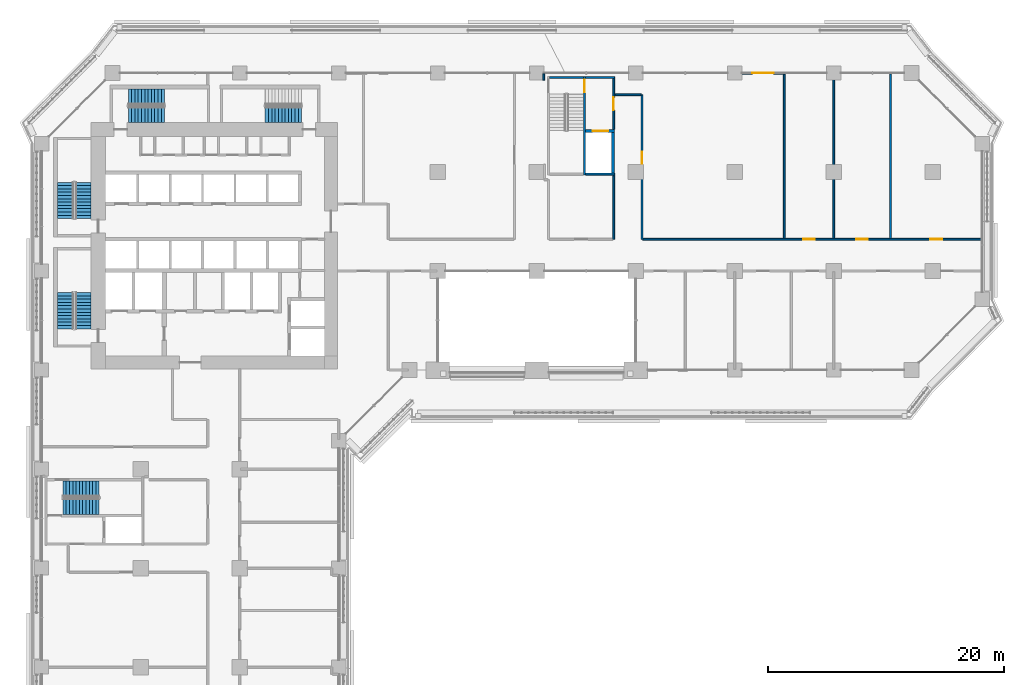
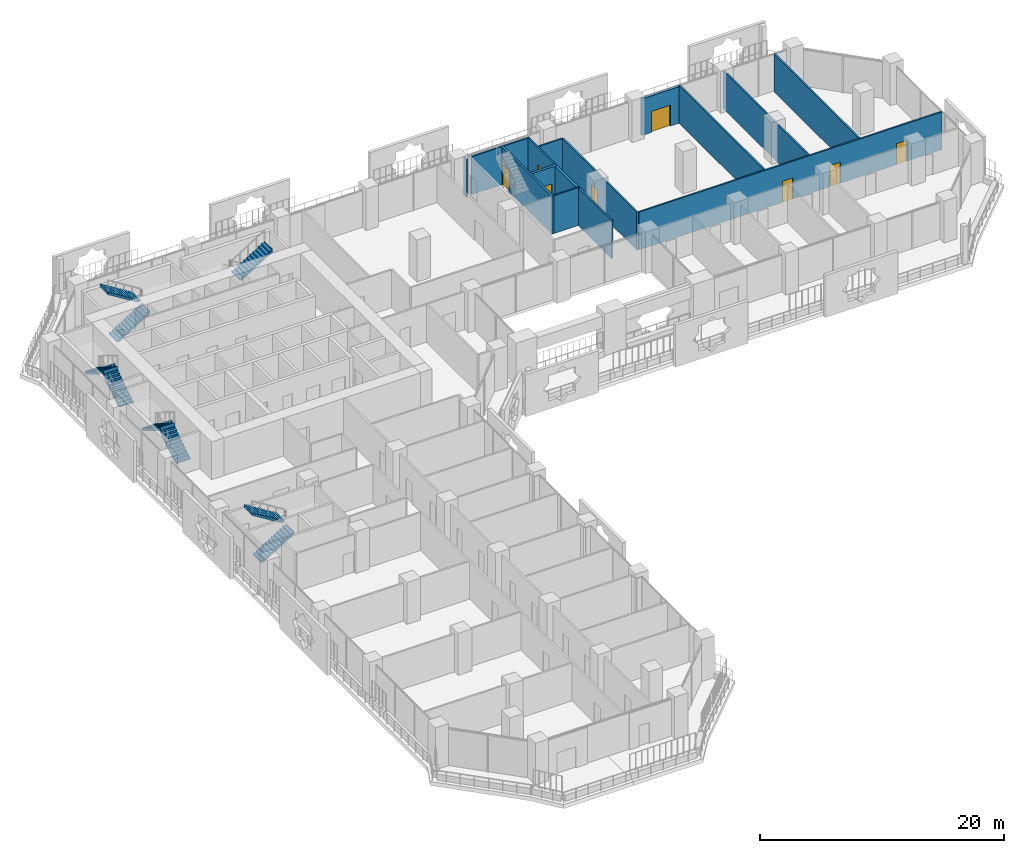
# One storey, part 17 of 28: 16 walls, 9 stair flights, 8 doors, 8 openings, 5 elements without a shape of their own.
"""IFC4 building model written with IfcOpenShell, lengths in metres."""

from ifc_helpers import new_model, si_unit, direction, frame, frame_2d, origin, place, context, subcontext, project, spatial, polyline, rectangle, outline, extrude, material, layer, layer_set, type_object, element, fill, aggregate, save


model = new_model("IFC4")

# Units and contexts
model_context = context("Model", 3, precision=1e-05, world=origin(), true_north=direction((0.0, 1.0)))
body_context = subcontext(model_context, "Body", "Model", "MODEL_VIEW")
ifc_project = project(units=[si_unit("LENGTHUNIT", "METRE"), si_unit("AREAUNIT", "SQUARE_METRE"), si_unit("VOLUMEUNIT", "CUBIC_METRE"), si_unit("PLANEANGLEUNIT", "RADIAN"), si_unit("MASSUNIT", "GRAM", prefix="KILO")], contexts=[model_context])

# Site, building, storey
site_placement = place(None, origin())
site = spatial("IfcSite", under=ifc_project, at=site_placement, CompositionType="ELEMENT")
building_placement = place(site_placement, origin())
building = spatial("IfcBuilding", under=site, at=building_placement, Name="Kawkab Arch Medical Tower", CompositionType="ELEMENT")
storey_placement = place(building_placement, frame((0.0, 0.0, 47.60009765625)))
storey = spatial("IfcBuildingStorey", under=building, at=storey_placement, Name="L10", CompositionType="ELEMENT", Elevation=47.60009765625)

# Wall, opening, door
ifc_material_1 = material(Name="Gypsum board on steel studs", Category="steel")
ifc_layer_1 = layer(ifc_material_1, 0.14990234375)
ifc_layer_set_1 = layer_set([ifc_layer_1], Name="Gypsum board on steel studs")
wall_type_1 = type_object("IfcWallType", Name="Core room partition 150", PredefinedType="PARTITIONING", material=ifc_layer_set_1)
wall_1_placement = place(storey_placement, frame((48.52490234375, -4.77490234375, 0.0), z_axis=(0.0, 0.0, 1.0), x_axis=(0.0, 1.0, 0.0)))
wall_1 = element("IfcWall", 1, at=wall_1_placement, inside=storey, type_object=wall_type_1, Name="L10 core room partition", PredefinedType="PARTITIONING", context=body_context, shape_type="SweptSolid", body=[
    extrude(rectangle(XDim=4.324951171875, YDim=0.14990234375, at=frame_2d((2.16259765625, 0.0))), origin(), (0.0, 0.0, 1.0), 3.77978515625),
])
opening_1_placement = place(wall_1_placement, frame((1.625, 0.0, 0.0)))
opening_1 = element("IfcOpeningElement", 2, at=opening_1_placement, cuts=wall_1, Name="Opening FD", PredefinedType="OPENING", context=body_context, shape_type="SweptSolid", body=[
    extrude(rectangle(XDim=1.10009765625, YDim=2.10009765625, at=frame_2d((0.550048828125, 1.050048828125))), frame((0.0, 0.0849609375, 0.0), z_axis=(0.0, -1.0, 0.0), x_axis=(1.0, 0.0, 0.0)), (0.0, 0.0, 1.0), 0.169921875),
])
ifc_material_2 = material(Name="Hollow metal fire door leaf")
door_type_1 = type_object("IfcDoorType", Name="Firefighting lobby door 1100", OperationType="SINGLE_SWING_LEFT", PredefinedType="DOOR", material=ifc_material_2)
door_1_placement = place(opening_1_placement, origin())
door_1 = element("IfcDoor", 3, at=door_1_placement, inside=storey, type_object=door_type_1, Name="L10 Service lift lobby door SV1", OperationType="SINGLE_SWING_LEFT", OverallHeight=2.10009765625, OverallWidth=1.10009765625, PredefinedType="DOOR", context=body_context, shape_type="SweptSolid", body=[
    extrude(rectangle(XDim=1.10009765625, YDim=2.10009765625, at=frame_2d((0.550048828125, 1.050048828125))), frame((0.0, 0.02490234375, 0.0), z_axis=(0.0, -1.0, 0.0), x_axis=(1.0, 0.0, 0.0)), (0.0, 0.0, 1.0), 0.050048828125),
])
fill(opening_1, door_1)

ifc_material_3 = material(Name="Concrete C60/75", Category="concrete")
ifc_layer_2 = layer(ifc_material_3, 0.25)
ifc_layer_set_2 = layer_set([ifc_layer_2], Name="Concrete C60/75")
wall_type_2 = type_object("IfcWallType", Name="Core shear wall 250 C60/75", PredefinedType="SHEAR", material=ifc_layer_set_2)
wall_2_placement = place(storey_placement, frame((46.14990234375, -4.89990234375, 0.0), z_axis=(0.0, 0.0, 1.0), x_axis=(1.0, 0.0, 0.0)))
wall_2 = element("IfcWall", 4, at=wall_2_placement, inside=storey, type_object=wall_type_2, Name="L10 core shear wall", PredefinedType="SHEAR", context=body_context, shape_type="SweptSolid", body=[
    extrude(rectangle(XDim=2.4501953125, YDim=0.25, at=frame_2d((1.22509765625, 0.0))), origin(), (0.0, 0.0, 1.0), 3.77978515625),
])
opening_2_placement = place(wall_2_placement, frame((0.60009765625, 0.0, 0.0)))
opening_2 = element("IfcOpeningElement", 5, at=opening_2_placement, cuts=wall_2, Name="Opening LD2", PredefinedType="OPENING", context=body_context, shape_type="SweptSolid", body=[
    extrude(rectangle(XDim=1.300048828125, YDim=2.10009765625, at=frame_2d((0.64990234375, 1.050048828125))), frame((0.0, 0.135009765625, 0.0), z_axis=(0.0, -1.0, 0.0), x_axis=(1.0, 0.0, 0.0)), (0.0, 0.0, 1.0), 0.27001953125),
])
ifc_material_4 = material(Name="Stainless steel lift door leaf", Category="steel")
door_type_2 = type_object("IfcDoorType", Name="Lift landing door 1300", OperationType="DOUBLE_DOOR_SLIDING", PredefinedType="DOOR", material=ifc_material_4)
door_2_placement = place(opening_2_placement, origin())
door_2 = element("IfcDoor", 6, at=door_2_placement, inside=storey, type_object=door_type_2, Name="L10 Lift landing door SV1", OperationType="DOUBLE_DOOR_SLIDING", OverallHeight=2.10009765625, OverallWidth=1.300048828125, PredefinedType="DOOR", context=body_context, shape_type="SweptSolid", body=[
    extrude(rectangle(XDim=1.300048828125, YDim=2.10009765625, at=frame_2d((0.64990234375, 1.050048828125))), frame((0.0, 0.02490234375, 0.0), z_axis=(0.0, -1.0, 0.0), x_axis=(1.0, 0.0, 0.0)), (0.0, 0.0, 1.0), 0.050048828125),
])
fill(opening_2, door_2)

# Wall
wall_3_placement = place(storey_placement, frame((48.47509765625, -8.5, 0.0), z_axis=(0.0, 0.0, 1.0), x_axis=(0.0, 1.0, 0.0)))
element("IfcWall", 7, at=wall_3_placement, inside=storey, type_object=wall_type_2, Name="L10 core shear wall", PredefinedType="SHEAR", context=body_context, shape_type="SweptSolid", body=[
    extrude(rectangle(XDim=3.47509765625, YDim=0.25, at=frame_2d((1.737548828125, 0.0))), origin(), (0.0, 0.0, 1.0), 3.77978515625),
])

# Wall, opening, door
ifc_material_5 = material(Name="Bronze clad insulated wall panel")
ifc_layer_3 = layer(ifc_material_5, 0.25)
ifc_layer_set_3 = layer_set([ifc_layer_3], Name="Bronze clad insulated wall panel")
wall_type_3 = type_object("IfcWallType", Name="External wall bay 250", PredefinedType="SOLIDWALL", material=ifc_layer_set_3)
wall_4_placement = place(storey_placement, frame((63.0, 0.0, 0.0), z_axis=(0.0, 0.0, 1.0), x_axis=(-1.0, 0.0, 0.0)))
wall_4 = element("IfcWall", 8, at=wall_4_placement, inside=storey, type_object=wall_type_3, Name="External wall bay L10.R09.2.2", PredefinedType="SOLIDWALL", context=body_context, shape_type="SweptSolid", body=[
    extrude(rectangle(XDim=3.60009765625, YDim=0.25, at=frame_2d((1.800048828125, 0.0))), origin(), (0.0, 0.0, 1.0), 3.659912109375),
])
opening_3_placement = place(wall_4_placement, frame((0.89990234375, 0.0, 0.0)))
opening_3 = element("IfcOpeningElement", 9, at=opening_3_placement, cuts=wall_4, Name="Opening B10-701", PredefinedType="OPENING", context=body_context, shape_type="SweptSolid", body=[
    extrude(rectangle(XDim=1.800048828125, YDim=2.10009765625, at=frame_2d((0.89990234375, 1.050048828125))), frame((0.0, 0.135009765625, 0.0), z_axis=(0.0, -1.0, 0.0), x_axis=(1.0, 0.0, 0.0)), (0.0, 0.0, 1.0), 0.27001953125),
])
ifc_material_6 = material(Name="Bronze anodised aluminium door with tinted glass", Category="aluminium")
door_type_3 = type_object("IfcDoorType", Name="Double external door 1800 x 2100", OperationType="DOUBLE_DOOR_SINGLE_SWING", PredefinedType="DOOR", material=ifc_material_6)
door_3_placement = place(opening_3_placement, origin())
door_3 = element("IfcDoor", 10, at=door_3_placement, inside=storey, type_object=door_type_3, Name="External door L10.R09.2.2", OperationType="DOUBLE_DOOR_SINGLE_SWING", OverallHeight=2.10009765625, OverallWidth=1.800048828125, PredefinedType="DOOR", context=body_context, shape_type="SweptSolid", body=[
    extrude(rectangle(XDim=1.800048828125, YDim=2.10009765625, at=frame_2d((0.89990234375, 1.050048828125))), frame((0.0, 0.02490234375, 0.0), z_axis=(0.0, -1.0, 0.0), x_axis=(1.0, 0.0, 0.0)), (0.0, 0.0, 1.0), 0.050048828125),
])
fill(opening_3, door_3)

# Wall, openings, doors
ifc_material_7 = material(Name="Gypsum board partition on steel studs, mineral wool", Category="steel")
ifc_layer_4 = layer(ifc_material_7, 0.14990234375)
ifc_layer_set_4 = layer_set([ifc_layer_4], Name="Gypsum board partition on steel studs, mineral wool")
wall_type_4 = type_object("IfcWallType", Name="Partition 150", PredefinedType="PARTITIONING", material=ifc_layer_set_4)
wall_5_placement = place(storey_placement, frame((51.0, -14.10009765625, 0.0), z_axis=(0.0, 0.0, 1.0), x_axis=(1.0, 0.0, 0.0)))
wall_5 = element("IfcWall", 11, at=wall_5_placement, inside=storey, type_object=wall_type_4, Name="Partition 150 w029", PredefinedType="PARTITIONING", context=body_context, shape_type="SweptSolid", body=[
    extrude(rectangle(XDim=28.719970703125, YDim=0.14990234375, at=frame_2d((14.35986328125, 0.0))), origin(), (0.0, 0.0, 1.0), 3.77978515625),
])
opening_4_placement = place(wall_5_placement, frame((13.60009765625, 0.0, 0.0)))
opening_4 = element("IfcOpeningElement", 12, at=opening_4_placement, cuts=wall_5, Name="Opening B10-013", PredefinedType="OPENING", context=body_context, shape_type="SweptSolid", body=[
    extrude(rectangle(XDim=1.0, YDim=2.10009765625, at=frame_2d((0.5, 1.050048828125))), frame((0.0, 0.0849609375, 0.0), z_axis=(0.0, -1.0, 0.0), x_axis=(1.0, 0.0, 0.0)), (0.0, 0.0, 1.0), 0.169921875),
])
opening_5_placement = place(wall_5_placement, frame((18.10009765625, 0.0, 0.0)))
opening_5 = element("IfcOpeningElement", 13, at=opening_5_placement, cuts=wall_5, Name="Opening B10-014", PredefinedType="OPENING", context=body_context, shape_type="SweptSolid", body=[
    extrude(rectangle(XDim=1.0, YDim=2.10009765625, at=frame_2d((0.5, 1.050048828125))), frame((0.0, 0.0849609375, 0.0), z_axis=(0.0, -1.0, 0.0), x_axis=(1.0, 0.0, 0.0)), (0.0, 0.0, 1.0), 0.169921875),
])
opening_6_placement = place(wall_5_placement, frame((24.39990234375, 0.0, 0.0)))
opening_6 = element("IfcOpeningElement", 14, at=opening_6_placement, cuts=wall_5, Name="Opening B10-015", PredefinedType="OPENING", context=body_context, shape_type="SweptSolid", body=[
    extrude(rectangle(XDim=1.0, YDim=2.10009765625, at=frame_2d((0.5, 1.050048828125))), frame((0.0, 0.0849609375, 0.0), z_axis=(0.0, -1.0, 0.0), x_axis=(1.0, 0.0, 0.0)), (0.0, 0.0, 1.0), 0.169921875),
])
ifc_material_8 = material(Name="Hollow metal door leaf")
door_type_4 = type_object("IfcDoorType", Name="Single door 1000x2100 FD30S", OperationType="NOTDEFINED", PredefinedType="DOOR", material=ifc_material_8)
door_4_placement = place(opening_4_placement, origin())
door_4 = element("IfcDoor", 15, at=door_4_placement, inside=storey, type_object=door_type_4, Name="Door B10-013", OperationType="SINGLE_SWING_RIGHT", OverallHeight=2.10009765625, OverallWidth=1.0, PredefinedType="DOOR", context=body_context, shape_type="SweptSolid", body=[
    extrude(rectangle(XDim=1.0, YDim=2.10009765625, at=frame_2d((0.5, 1.050048828125))), frame((0.0, 0.02490234375, 0.0), z_axis=(0.0, -1.0, 0.0), x_axis=(1.0, 0.0, 0.0)), (0.0, 0.0, 1.0), 0.050048828125),
])
fill(opening_4, door_4)
door_5_placement = place(opening_5_placement, origin())
door_5 = element("IfcDoor", 16, at=door_5_placement, inside=storey, type_object=door_type_4, Name="Door B10-014", OperationType="SINGLE_SWING_RIGHT", OverallHeight=2.10009765625, OverallWidth=1.0, PredefinedType="DOOR", context=body_context, shape_type="SweptSolid", body=[
    extrude(rectangle(XDim=1.0, YDim=2.10009765625, at=frame_2d((0.5, 1.050048828125))), frame((0.0, 0.02490234375, 0.0), z_axis=(0.0, -1.0, 0.0), x_axis=(1.0, 0.0, 0.0)), (0.0, 0.0, 1.0), 0.050048828125),
])
fill(opening_5, door_5)
door_6_placement = place(opening_6_placement, origin())
door_6 = element("IfcDoor", 17, at=door_6_placement, inside=storey, type_object=door_type_4, Name="Door B10-015", OperationType="SINGLE_SWING_RIGHT", OverallHeight=2.10009765625, OverallWidth=1.0, PredefinedType="DOOR", context=body_context, shape_type="SweptSolid", body=[
    extrude(rectangle(XDim=1.0, YDim=2.10009765625, at=frame_2d((0.5, 1.050048828125))), frame((0.0, 0.02490234375, 0.0), z_axis=(0.0, -1.0, 0.0), x_axis=(1.0, 0.0, 0.0)), (0.0, 0.0, 1.0), 0.050048828125),
])
fill(opening_6, door_6)

# Walls
wall_6_placement = place(storey_placement, frame((48.679931640625, -1.85009765625, 0.0), z_axis=(0.0, 0.0, 1.0), x_axis=(1.0, 0.0, 0.0)))
element("IfcWall", 18, at=wall_6_placement, inside=storey, type_object=wall_type_4, Name="Partition 150 w032", PredefinedType="PARTITIONING", context=body_context, shape_type="SweptSolid", body=[
    extrude(rectangle(XDim=2.16796875, YDim=0.14990234375, at=frame_2d((1.083984375, 0.0))), origin(), (0.0, 0.0, 1.0), 3.77978515625),
])
wall_7_placement = place(storey_placement, frame((42.60009765625, -0.60009765625, 0.0), z_axis=(0.0, 0.0, 1.0), x_axis=(0.0, 1.0, 0.0)))
element("IfcWall", 19, at=wall_7_placement, inside=storey, type_object=wall_type_4, Name="Partition 150 w052", PredefinedType="PARTITIONING", context=body_context, shape_type="SweptSolid", body=[
    extrude(rectangle(XDim=0.52001953125, YDim=0.14990234375, at=frame_2d((0.260009765625, 0.0))), origin(), (0.0, 0.0, 1.0), 3.77978515625),
])
wall_8_placement = place(storey_placement, frame((48.52490234375, -14.10009765625, 0.0), z_axis=(0.0, 0.0, 1.0), x_axis=(0.0, 1.0, 0.0)))
element("IfcWall", 20, at=wall_8_placement, inside=storey, type_object=wall_type_4, Name="Partition 150 w055", PredefinedType="PARTITIONING", context=body_context, shape_type="SweptSolid", body=[
    extrude(rectangle(XDim=5.3701171875, YDim=0.14990234375, at=frame_2d((2.68505859375, 0.0))), origin(), (0.0, 0.0, 1.0), 3.77978515625),
])

# Wall, opening, door
wall_9_placement = place(storey_placement, frame((50.925048828125, -14.10009765625, 0.0), z_axis=(0.0, 0.0, 1.0), x_axis=(0.0, 1.0, 0.0)))
wall_9 = element("IfcWall", 21, at=wall_9_placement, inside=storey, type_object=wall_type_4, Name="Partition 150 w056", PredefinedType="PARTITIONING", context=body_context, shape_type="SweptSolid", body=[
    extrude(rectangle(XDim=12.2490234375, YDim=0.14990234375, at=frame_2d((6.12451171875, 0.0))), origin(), (0.0, 0.0, 1.0), 3.77978515625),
])
opening_7_placement = place(wall_9_placement, frame((6.424072265625, 0.0, 0.0)))
opening_7 = element("IfcOpeningElement", 22, at=opening_7_placement, cuts=wall_9, Name="Opening B10-012", PredefinedType="OPENING", context=body_context, shape_type="SweptSolid", body=[
    extrude(rectangle(XDim=1.0, YDim=2.10009765625, at=frame_2d((0.5, 1.050048828125))), frame((0.0, 0.0849609375, 0.0), z_axis=(0.0, -1.0, 0.0), x_axis=(1.0, 0.0, 0.0)), (0.0, 0.0, 1.0), 0.169921875),
])
door_7_placement = place(opening_7_placement, origin())
door_7 = element("IfcDoor", 23, at=door_7_placement, inside=storey, type_object=door_type_4, Name="Door B10-012", OperationType="SINGLE_SWING_LEFT", OverallHeight=2.10009765625, OverallWidth=1.0, PredefinedType="DOOR", context=body_context, shape_type="SweptSolid", body=[
    extrude(rectangle(XDim=1.0, YDim=2.10009765625, at=frame_2d((0.5, 1.050048828125))), frame((0.0, 0.02490234375, 0.0), z_axis=(0.0, -1.0, 0.0), x_axis=(1.0, 0.0, 0.0)), (0.0, 0.0, 1.0), 0.050048828125),
])
fill(opening_7, door_7)

# Walls
for number, where, z_axis, x_axis, name in (
    (24, (63.0, -14.02490234375, 0.0), (0.0, 0.0, 1.0), (0.0, 1.0, 0.0), "Partition 150 w059"),
    (25, (67.199951171875, -14.02490234375, 0.0), (0.0, 0.0, 1.0), (0.0, 1.0, 0.0), "Partition 150 w062"),
    (26, (72.0, -14.02490234375, 0.0), (0.0, 0.0, 1.0), (0.0, 1.0, 0.0), "Partition 150 w063"),
):
    element("IfcWall", number, at=place(storey_placement, frame(where, z_axis=z_axis, x_axis=x_axis)), inside=storey, type_object=wall_type_4, Name=name, PredefinedType="PARTITIONING", context=body_context, shape_type="SweptSolid", body=[
        extrude(rectangle(XDim=13.94482421875, YDim=0.14990234375, at=frame_2d((6.972412109375, 0.0))), origin(), (0.0, 0.0, 1.0), 3.77978515625),
    ])
ifc_material_9 = material(Name="Concrete C50/60", Category="concrete")
ifc_layer_5 = layer(ifc_material_9, 0.14990234375)
ifc_layer_set_5 = layer_set([ifc_layer_5], Name="Concrete C50/60")
wall_type_5 = type_object("IfcWallType", Name="Stair enclosure wall 150 C50/60", PredefinedType="SHEAR", material=ifc_layer_set_5)
wall_10_placement = place(storey_placement, frame((43.10009765625, -0.375, 0.0), z_axis=(0.0, 0.0, 1.0), x_axis=(1.0, 0.0, 0.0)))
element("IfcWall", 27, at=wall_10_placement, inside=storey, type_object=wall_type_5, Name="L10 stair enclosure wall", PredefinedType="SHEAR", context=body_context, shape_type="SweptSolid", body=[
    extrude(rectangle(XDim=2.849853515625, YDim=0.14990234375, at=frame_2d((1.4248046875, 0.0))), origin(), (0.0, 0.0, 1.0), 3.77978515625),
])
for number, where, z_axis, x_axis, name in (
    (28, (46.14990234375, -0.375, 0.0), (0.0, 0.0, 1.0), (1.0, 0.0, 0.0), "L10 stair enclosure wall"),
    (29, (46.14990234375, -8.574951171875, 0.0), (0.0, 0.0, 1.0), (1.0, 0.0, 0.0), "L10 stair enclosure wall"),
):
    element("IfcWall", number, at=place(storey_placement, frame(where, z_axis=z_axis, x_axis=x_axis)), inside=storey, type_object=wall_type_5, Name=name, PredefinedType="SHEAR", context=body_context, shape_type="SweptSolid", body=[
        extrude(rectangle(XDim=2.4501953125, YDim=0.14990234375, at=frame_2d((1.22509765625, 0.0))), origin(), (0.0, 0.0, 1.0), 3.77978515625),
    ])

# Wall, opening, door
ifc_material_10 = material(Name="Concrete C50/60", Category="concrete")
ifc_layer_6 = layer(ifc_material_10, 0.199951171875)
ifc_layer_set_6 = layer_set([ifc_layer_6], Name="Concrete C50/60")
wall_type_6 = type_object("IfcWallType", Name="Stair enclosure wall 200 C50/60", PredefinedType="SHEAR", material=ifc_layer_set_6)
wall_11_placement = place(storey_placement, frame((46.050048828125, -8.64990234375, 0.0), z_axis=(0.0, 0.0, 1.0), x_axis=(0.0, 1.0, 0.0)))
wall_11 = element("IfcWall", 30, at=wall_11_placement, inside=storey, type_object=wall_type_6, Name="L10 stair enclosure wall", PredefinedType="SHEAR", context=body_context, shape_type="SweptSolid", body=[
    extrude(rectangle(XDim=8.349853515625, YDim=0.199951171875, at=frame_2d((4.1748046875, 0.0))), origin(), (0.0, 0.0, 1.0), 3.77978515625),
])
opening_8_placement = place(wall_11_placement, frame((7.0, 0.0, 0.0)))
opening_8 = element("IfcOpeningElement", 31, at=opening_8_placement, cuts=wall_11, Name="Opening SD", PredefinedType="OPENING", context=body_context, shape_type="SweptSolid", body=[
    extrude(rectangle(XDim=1.10009765625, YDim=2.10009765625, at=frame_2d((0.550048828125, 1.050048828125))), frame((0.0, 0.10986328125, 0.0), z_axis=(0.0, -1.0, 0.0), x_axis=(1.0, 0.0, 0.0)), (0.0, 0.0, 1.0), 0.219970703125),
])
ifc_material_11 = material(Name="Hollow metal fire door leaf")
door_type_5 = type_object("IfcDoorType", Name="Exit stair door 1100", OperationType="SINGLE_SWING_LEFT", PredefinedType="DOOR", material=ifc_material_11)
door_8_placement = place(opening_8_placement, origin())
door_8 = element("IfcDoor", 32, at=door_8_placement, inside=storey, type_object=door_type_5, Name="L10 Exit stair ST5 lobby door", OperationType="SINGLE_SWING_LEFT", OverallHeight=2.10009765625, OverallWidth=1.10009765625, PredefinedType="DOOR", context=body_context, shape_type="SweptSolid", body=[
    extrude(rectangle(XDim=1.10009765625, YDim=2.10009765625, at=frame_2d((0.550048828125, 1.050048828125))), frame((0.0, 0.02490234375, 0.0), z_axis=(0.0, -1.0, 0.0), x_axis=(1.0, 0.0, 0.0)), (0.0, 0.0, 1.0), 0.050048828125),
])
fill(opening_8, door_8)

# Stair, stair flights
ifc_material_12 = material(Name="Concrete C40/50", Category="concrete")
stair_type = type_object("IfcStairType", Name="Exit stair 1350", PredefinedType="HALF_TURN_STAIR", material=ifc_material_12)
placement = place(storey_placement, origin())
stair_1 = element("IfcStair", 33, at=placement, inside=storey, type_object=stair_type, Name="L10 Exit stair ST1", PredefinedType="HALF_TURN_STAIR")
ifc_material_13 = material(Name="Concrete C40/50", Category="concrete")
stair_flight_type = type_object("IfcStairFlightType", Name="Exit stair flight 1350", PredefinedType="STRAIGHT", material=ifc_material_13)
stair_flight_1_placement = place(storey_placement, frame((3.52490234375, -12.35009765625, 0.0), z_axis=(0.0, 0.0, 1.0), x_axis=(0.0, 1.0, 0.0)))
stair_flight_1 = element("IfcStairFlight", 34, at=stair_flight_1_placement, type_object=stair_flight_type, Name="ST1 flight 1", NumberOfRisers=12, NumberOfTreads=11, PredefinedType="STRAIGHT", RiserHeight=0.175, TreadLength=0.28, context=body_context, shape_type="SweptSolid", body=[
    extrude(outline(polyline([(-0.0029296875, 0.0), (-0.0029296875, 0.175048828125), (0.0, 0.175048828125), (0.280029296875, 0.175048828125), (0.280029296875, 0.35009765625), (0.56005859375, 0.35009765625), (0.56005859375, 0.52490234375), (0.840087890625, 0.52490234375), (0.840087890625, 0.699951171875), (1.1201171875, 0.699951171875), (1.1201171875, 0.875), (1.39990234375, 0.875), (1.39990234375, 1.050048828125), (1.679931640625, 1.050048828125), (1.679931640625, 1.22509765625), (1.9599609375, 1.22509765625), (1.9599609375, 1.39990234375), (2.239990234375, 1.39990234375), (2.239990234375, 1.574951171875), (2.52001953125, 1.574951171875), (2.52001953125, 1.75), (2.800048828125, 1.75), (2.800048828125, 1.925048828125), (3.080078125, 1.925048828125), (3.080078125, 2.10009765625), (3.0830078125, 2.10009765625), (3.0830078125, 1.748291015625), (3.080078125, 1.748291015625), (0.28271484375, 0.0), (-0.0029296875, 0.0)])), frame((0.0, 0.675048828125, 0.0), z_axis=(0.0, -1.0, 0.0), x_axis=(1.0, 0.0, 0.0)), (0.0, 0.0, 1.0), 1.35009765625),
])
stair_flight_2_placement = place(storey_placement, frame((2.02490234375, -9.27001953125, 2.099853515625), z_axis=(0.0, 0.0, 1.0), x_axis=(0.0, -1.0, 0.0)))
stair_flight_2 = element("IfcStairFlight", 35, at=stair_flight_2_placement, type_object=stair_flight_type, Name="ST1 flight 2", NumberOfRisers=12, NumberOfTreads=11, PredefinedType="STRAIGHT", RiserHeight=0.175, TreadLength=0.28, context=body_context, shape_type="SweptSolid", body=[
    extrude(outline(polyline([(-0.0029296875, 0.0), (-0.0029296875, 0.175048828125), (0.0, 0.175048828125), (0.280029296875, 0.175048828125), (0.280029296875, 0.35009765625), (0.56005859375, 0.35009765625), (0.56005859375, 0.52490234375), (0.840087890625, 0.52490234375), (0.840087890625, 0.699951171875), (1.1201171875, 0.699951171875), (1.1201171875, 0.875), (1.39990234375, 0.875), (1.39990234375, 1.050048828125), (1.679931640625, 1.050048828125), (1.679931640625, 1.22509765625), (1.9599609375, 1.22509765625), (1.9599609375, 1.39990234375), (2.239990234375, 1.39990234375), (2.239990234375, 1.574951171875), (2.52001953125, 1.574951171875), (2.52001953125, 1.75), (2.800048828125, 1.75), (2.800048828125, 1.925048828125), (3.080078125, 1.925048828125), (3.080078125, 2.10009765625), (3.0830078125, 2.10009765625), (3.0830078125, 1.748291015625), (3.080078125, 1.748291015625), (0.28271484375, 0.0), (-0.0029296875, 0.0)])), frame((0.0, 0.675048828125, 0.0), z_axis=(0.0, -1.0, 0.0), x_axis=(1.0, 0.0, 0.0)), (0.0, 0.0, 1.0), 1.35009765625),
])
aggregate(stair_1, [stair_flight_1, stair_flight_2])

stair_2 = element("IfcStair", 36, at=placement, inside=storey, type_object=stair_type, Name="L10 Exit stair ST2", PredefinedType="HALF_TURN_STAIR")
stair_flight_3_placement = place(storey_placement, frame((3.52490234375, -21.699951171875, 0.0), z_axis=(0.0, 0.0, 1.0), x_axis=(0.0, 1.0, 0.0)))
stair_flight_3 = element("IfcStairFlight", 37, at=stair_flight_3_placement, type_object=stair_flight_type, Name="ST2 flight 1", NumberOfRisers=12, NumberOfTreads=11, PredefinedType="STRAIGHT", RiserHeight=0.175, TreadLength=0.28, context=body_context, shape_type="SweptSolid", body=[
    extrude(outline(polyline([(-0.0029296875, 0.0), (-0.0029296875, 0.175048828125), (0.0, 0.175048828125), (0.280029296875, 0.175048828125), (0.280029296875, 0.35009765625), (0.56005859375, 0.35009765625), (0.56005859375, 0.52490234375), (0.840087890625, 0.52490234375), (0.840087890625, 0.699951171875), (1.1201171875, 0.699951171875), (1.1201171875, 0.875), (1.39990234375, 0.875), (1.39990234375, 1.050048828125), (1.679931640625, 1.050048828125), (1.679931640625, 1.22509765625), (1.9599609375, 1.22509765625), (1.9599609375, 1.39990234375), (2.239990234375, 1.39990234375), (2.239990234375, 1.574951171875), (2.52001953125, 1.574951171875), (2.52001953125, 1.75), (2.800048828125, 1.75), (2.800048828125, 1.925048828125), (3.080078125, 1.925048828125), (3.080078125, 2.10009765625), (3.0830078125, 2.10009765625), (3.0830078125, 1.748291015625), (3.080078125, 1.748291015625), (0.28271484375, 0.0), (-0.0029296875, 0.0)])), frame((0.0, 0.675048828125, 0.0), z_axis=(0.0, -1.0, 0.0), x_axis=(1.0, 0.0, 0.0)), (0.0, 0.0, 1.0), 1.35009765625),
])
stair_flight_4_placement = place(storey_placement, frame((2.02490234375, -18.6201171875, 2.099853515625), z_axis=(0.0, 0.0, 1.0), x_axis=(0.0, -1.0, 0.0)))
stair_flight_4 = element("IfcStairFlight", 38, at=stair_flight_4_placement, type_object=stair_flight_type, Name="ST2 flight 2", NumberOfRisers=12, NumberOfTreads=11, PredefinedType="STRAIGHT", RiserHeight=0.175, TreadLength=0.28, context=body_context, shape_type="SweptSolid", body=[
    extrude(outline(polyline([(-0.0029296875, 0.0), (-0.0029296875, 0.175048828125), (0.0, 0.175048828125), (0.280029296875, 0.175048828125), (0.280029296875, 0.35009765625), (0.56005859375, 0.35009765625), (0.56005859375, 0.52490234375), (0.840087890625, 0.52490234375), (0.840087890625, 0.699951171875), (1.1201171875, 0.699951171875), (1.1201171875, 0.875), (1.39990234375, 0.875), (1.39990234375, 1.050048828125), (1.679931640625, 1.050048828125), (1.679931640625, 1.22509765625), (1.9599609375, 1.22509765625), (1.9599609375, 1.39990234375), (2.239990234375, 1.39990234375), (2.239990234375, 1.574951171875), (2.52001953125, 1.574951171875), (2.52001953125, 1.75), (2.800048828125, 1.75), (2.800048828125, 1.925048828125), (3.080078125, 1.925048828125), (3.080078125, 2.10009765625), (3.0830078125, 2.10009765625), (3.0830078125, 1.748291015625), (3.080078125, 1.748291015625), (0.28271484375, 0.0), (-0.0029296875, 0.0)])), frame((0.0, 0.675048828125, 0.0), z_axis=(0.0, -1.0, 0.0), x_axis=(1.0, 0.0, 0.0)), (0.0, 0.0, 1.0), 1.35009765625),
])
aggregate(stair_2, [stair_flight_3, stair_flight_4])

stair_3 = element("IfcStair", 39, at=placement, inside=storey, type_object=stair_type, Name="L10 Exit stair ST3", PredefinedType="HALF_TURN_STAIR")
stair_flight_5_placement = place(storey_placement, frame((7.35009765625, -3.52490234375, 0.0), z_axis=(0.0, 0.0, 1.0), x_axis=(1.0, 0.0, 0.0)))
stair_flight_5 = element("IfcStairFlight", 40, at=stair_flight_5_placement, type_object=stair_flight_type, Name="ST3 flight 1", NumberOfRisers=12, NumberOfTreads=11, PredefinedType="STRAIGHT", RiserHeight=0.175, TreadLength=0.28, context=body_context, shape_type="SweptSolid", body=[
    extrude(outline(polyline([(-0.0029296875, 0.0), (-0.0029296875, 0.175048828125), (0.0, 0.175048828125), (0.280029296875, 0.175048828125), (0.280029296875, 0.35009765625), (0.56005859375, 0.35009765625), (0.56005859375, 0.52490234375), (0.840087890625, 0.52490234375), (0.840087890625, 0.699951171875), (1.1201171875, 0.699951171875), (1.1201171875, 0.875), (1.39990234375, 0.875), (1.39990234375, 1.050048828125), (1.679931640625, 1.050048828125), (1.679931640625, 1.22509765625), (1.9599609375, 1.22509765625), (1.9599609375, 1.39990234375), (2.239990234375, 1.39990234375), (2.239990234375, 1.574951171875), (2.52001953125, 1.574951171875), (2.52001953125, 1.75), (2.800048828125, 1.75), (2.800048828125, 1.925048828125), (3.080078125, 1.925048828125), (3.080078125, 2.10009765625), (3.0830078125, 2.10009765625), (3.0830078125, 1.748291015625), (3.080078125, 1.748291015625), (0.28271484375, 0.0), (-0.0029296875, 0.0)])), frame((0.0, 0.675048828125, 0.0), z_axis=(0.0, -1.0, 0.0), x_axis=(1.0, 0.0, 0.0)), (0.0, 0.0, 1.0), 1.35009765625),
])
stair_flight_6_placement = place(storey_placement, frame((10.429931640625, -2.02490234375, 2.099853515625), z_axis=(0.0, 0.0, 1.0), x_axis=(-1.0, 0.0, 0.0)))
stair_flight_6 = element("IfcStairFlight", 41, at=stair_flight_6_placement, type_object=stair_flight_type, Name="ST3 flight 2", NumberOfRisers=12, NumberOfTreads=11, PredefinedType="STRAIGHT", RiserHeight=0.175, TreadLength=0.28, context=body_context, shape_type="SweptSolid", body=[
    extrude(outline(polyline([(-0.0029296875, 0.0), (-0.0029296875, 0.175048828125), (0.0, 0.175048828125), (0.280029296875, 0.175048828125), (0.280029296875, 0.35009765625), (0.56005859375, 0.35009765625), (0.56005859375, 0.52490234375), (0.840087890625, 0.52490234375), (0.840087890625, 0.699951171875), (1.1201171875, 0.699951171875), (1.1201171875, 0.875), (1.39990234375, 0.875), (1.39990234375, 1.050048828125), (1.679931640625, 1.050048828125), (1.679931640625, 1.22509765625), (1.9599609375, 1.22509765625), (1.9599609375, 1.39990234375), (2.239990234375, 1.39990234375), (2.239990234375, 1.574951171875), (2.52001953125, 1.574951171875), (2.52001953125, 1.75), (2.800048828125, 1.75), (2.800048828125, 1.925048828125), (3.080078125, 1.925048828125), (3.080078125, 2.10009765625), (3.0830078125, 2.10009765625), (3.0830078125, 1.748291015625), (3.080078125, 1.748291015625), (0.28271484375, 0.0), (-0.0029296875, 0.0)])), frame((0.0, 0.675048828125, 0.0), z_axis=(0.0, -1.0, 0.0), x_axis=(1.0, 0.0, 0.0)), (0.0, 0.0, 1.0), 1.35009765625),
])
aggregate(stair_3, [stair_flight_5, stair_flight_6])

# Stair, stair flight
stair_4 = element("IfcStair", 42, at=placement, inside=storey, type_object=stair_type, Name="L10 Exit stair ST4", PredefinedType="HALF_TURN_STAIR")
stair_flight_7_placement = place(storey_placement, frame((18.969970703125, -3.52490234375, 2.099853515625), z_axis=(0.0, 0.0, 1.0), x_axis=(1.0, 0.0, 0.0)))
stair_flight_7 = element("IfcStairFlight", 43, at=stair_flight_7_placement, type_object=stair_flight_type, Name="ST4 flight 2", NumberOfRisers=12, NumberOfTreads=11, PredefinedType="STRAIGHT", RiserHeight=0.175, TreadLength=0.28, context=body_context, shape_type="SweptSolid", body=[
    extrude(outline(polyline([(-0.0029296875, 0.0), (-0.0029296875, 0.175048828125), (0.0, 0.175048828125), (0.280029296875, 0.175048828125), (0.280029296875, 0.35009765625), (0.56005859375, 0.35009765625), (0.56005859375, 0.52490234375), (0.840087890625, 0.52490234375), (0.840087890625, 0.699951171875), (1.1201171875, 0.699951171875), (1.1201171875, 0.875), (1.39990234375, 0.875), (1.39990234375, 1.050048828125), (1.679931640625, 1.050048828125), (1.679931640625, 1.22509765625), (1.9599609375, 1.22509765625), (1.9599609375, 1.39990234375), (2.239990234375, 1.39990234375), (2.239990234375, 1.574951171875), (2.52001953125, 1.574951171875), (2.52001953125, 1.75), (2.800048828125, 1.75), (2.800048828125, 1.925048828125), (3.080078125, 1.925048828125), (3.080078125, 2.10009765625), (3.0830078125, 2.10009765625), (3.0830078125, 1.748291015625), (3.080078125, 1.748291015625), (0.28271484375, 0.0), (-0.0029296875, 0.0)])), frame((0.0, 0.675048828125, 0.0), z_axis=(0.0, -1.0, 0.0), x_axis=(1.0, 0.0, 0.0)), (0.0, 0.0, 1.0), 1.35009765625),
])
aggregate(stair_4, [stair_flight_7])

# Stair, stair flights
stair_5 = element("IfcStair", 44, at=placement, inside=storey, type_object=stair_type, Name="L10 Exit stair ST6", PredefinedType="HALF_TURN_STAIR")
stair_flight_8_placement = place(storey_placement, frame((1.800048828125, -36.77490234375, 0.0), z_axis=(0.0, 0.0, 1.0), x_axis=(1.0, 0.0, 0.0)))
stair_flight_8 = element("IfcStairFlight", 45, at=stair_flight_8_placement, type_object=stair_flight_type, Name="ST6 flight 1", NumberOfRisers=12, NumberOfTreads=11, PredefinedType="STRAIGHT", RiserHeight=0.175, TreadLength=0.28, context=body_context, shape_type="SweptSolid", body=[
    extrude(outline(polyline([(-0.0029296875, 0.0), (-0.0029296875, 0.175048828125), (0.0, 0.175048828125), (0.280029296875, 0.175048828125), (0.280029296875, 0.35009765625), (0.56005859375, 0.35009765625), (0.56005859375, 0.52490234375), (0.840087890625, 0.52490234375), (0.840087890625, 0.699951171875), (1.1201171875, 0.699951171875), (1.1201171875, 0.875), (1.39990234375, 0.875), (1.39990234375, 1.050048828125), (1.679931640625, 1.050048828125), (1.679931640625, 1.22509765625), (1.9599609375, 1.22509765625), (1.9599609375, 1.39990234375), (2.239990234375, 1.39990234375), (2.239990234375, 1.574951171875), (2.52001953125, 1.574951171875), (2.52001953125, 1.75), (2.800048828125, 1.75), (2.800048828125, 1.925048828125), (3.080078125, 1.925048828125), (3.080078125, 2.10009765625), (3.0830078125, 2.10009765625), (3.0830078125, 1.748291015625), (3.080078125, 1.748291015625), (0.28271484375, 0.0), (-0.0029296875, 0.0)])), frame((0.0, 0.675048828125, 0.0), z_axis=(0.0, -1.0, 0.0), x_axis=(1.0, 0.0, 0.0)), (0.0, 0.0, 1.0), 1.35009765625),
])
stair_flight_9_placement = place(storey_placement, frame((4.8798828125, -35.27490234375, 2.099853515625), z_axis=(0.0, 0.0, 1.0), x_axis=(-1.0, 0.0, 0.0)))
stair_flight_9 = element("IfcStairFlight", 46, at=stair_flight_9_placement, type_object=stair_flight_type, Name="ST6 flight 2", NumberOfRisers=12, NumberOfTreads=11, PredefinedType="STRAIGHT", RiserHeight=0.175, TreadLength=0.28, context=body_context, shape_type="SweptSolid", body=[
    extrude(outline(polyline([(-0.0029296875, 0.0), (-0.0029296875, 0.175048828125), (0.0, 0.175048828125), (0.280029296875, 0.175048828125), (0.280029296875, 0.35009765625), (0.56005859375, 0.35009765625), (0.56005859375, 0.52490234375), (0.840087890625, 0.52490234375), (0.840087890625, 0.699951171875), (1.1201171875, 0.699951171875), (1.1201171875, 0.875), (1.39990234375, 0.875), (1.39990234375, 1.050048828125), (1.679931640625, 1.050048828125), (1.679931640625, 1.22509765625), (1.9599609375, 1.22509765625), (1.9599609375, 1.39990234375), (2.239990234375, 1.39990234375), (2.239990234375, 1.574951171875), (2.52001953125, 1.574951171875), (2.52001953125, 1.75), (2.800048828125, 1.75), (2.800048828125, 1.925048828125), (3.080078125, 1.925048828125), (3.080078125, 2.10009765625), (3.0830078125, 2.10009765625), (3.0830078125, 1.748291015625), (3.080078125, 1.748291015625), (0.28271484375, 0.0), (-0.0029296875, 0.0)])), frame((0.0, 0.675048828125, 0.0), z_axis=(0.0, -1.0, 0.0), x_axis=(1.0, 0.0, 0.0)), (0.0, 0.0, 1.0), 1.35009765625),
])
aggregate(stair_5, [stair_flight_8, stair_flight_9])

save(model, "model.ifc")
